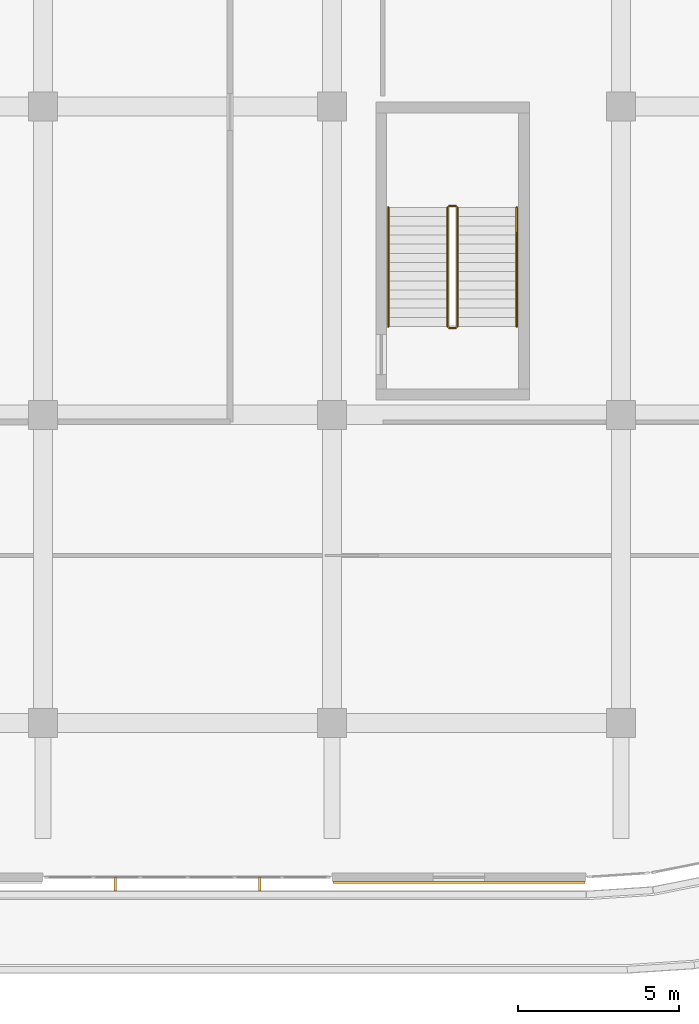
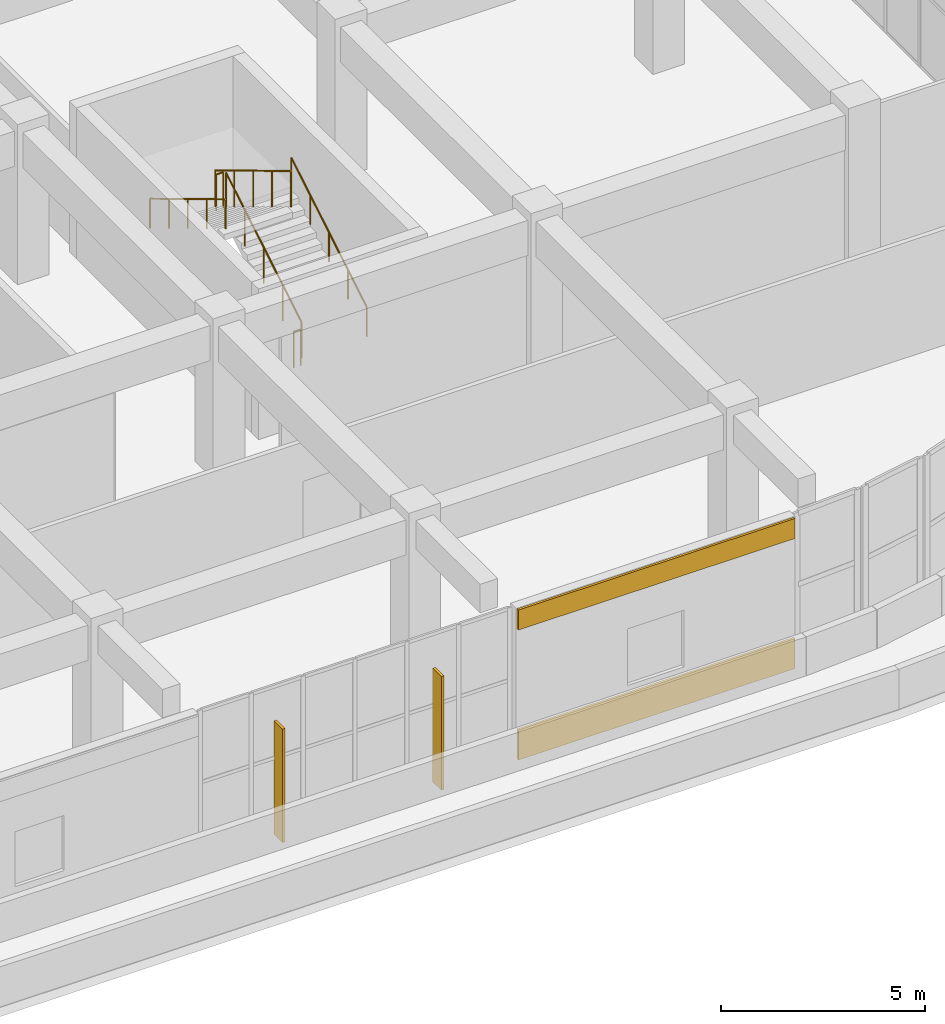
# One storey, part 84 of 96: 6 railings, 2 coverings, 2 shading devices.
"""IFC4 building model written with IfcOpenShell, lengths in metres."""

from ifc_helpers import new_model, si_unit, direction, frame, origin, origin_2d, place, context, subcontext, project, spatial, rectangle, circle, extrude, material, layer, layer_set, type_object, element, save


model = new_model("IFC4")

# Units and contexts
model_context = context("Model", 3, precision=1e-05, world=origin(), true_north=direction((0.0, 1.0)))
body_context = subcontext(model_context, "Body", "Model", "MODEL_VIEW")
ifc_project = project(units=[si_unit("LENGTHUNIT", "METRE"), si_unit("AREAUNIT", "SQUARE_METRE"), si_unit("VOLUMEUNIT", "CUBIC_METRE"), si_unit("PLANEANGLEUNIT", "RADIAN"), si_unit("MASSUNIT", "GRAM", prefix="KILO")], contexts=[model_context])

# Site, building, storey
site_placement = place(None, origin())
site = spatial("IfcSite", under=ifc_project, at=site_placement, CompositionType="ELEMENT")
building_placement = place(site_placement, origin())
building = spatial("IfcBuilding", under=site, at=building_placement, Name="Cendralis Terraced Arcade", CompositionType="ELEMENT")
storey_placement = place(building_placement, frame((0.0, 0.0, 10.199951171875)))
storey = spatial("IfcBuildingStorey", under=building, at=storey_placement, Name="L02", CompositionType="ELEMENT", Elevation=10.199951171875)

# Coverings
ifc_material_1 = material(Name="Precast concrete f'c 40 MPa", Category="concrete")
ifc_layer = layer(ifc_material_1, 0.06494140625, Name="COV-CLAD-GRC-65")
ifc_layer_set = layer_set([ifc_layer], Name="Precast concrete f'c 40 MPa")
covering_type = type_object("IfcCoveringType", Name="COV-CLAD-GRC-65", PredefinedType="CLADDING", material=ifc_layer_set)
covering_1_placement = place(storey_placement, frame((116.14990234375, 4.637451171875, 0.0), z_axis=(0.0, 0.0, 1.0), x_axis=(-1.0, 0.0, 0.0)))
element("IfcCovering", 1, at=covering_1_placement, inside=storey, type_object=covering_type, Name="Banded Precast Stone Spandrel Cladding L02-293", PredefinedType="CLADDING", context=body_context, shape_type="SweptSolid", body=[
    extrude(rectangle(XDim=7.840087890625, YDim=0.06494140625, at=origin_2d()), origin(), (0.0, 0.0, 1.0), 0.89990234375),
])
covering_2_placement = place(storey_placement, frame((116.14990234375, 4.637451171875, 3.89501953125), z_axis=(0.0, 0.0, 1.0), x_axis=(-1.0, 0.0, 0.0)))
element("IfcCovering", 2, at=covering_2_placement, inside=storey, type_object=covering_type, Name="Banded Precast Stone Lintel Cladding L02-294", PredefinedType="CLADDING", context=body_context, shape_type="SweptSolid", body=[
    extrude(rectangle(XDim=7.840087890625, YDim=0.06494140625, at=origin_2d()), origin(), (0.0, 0.0, 1.0), 0.60009765625),
])

# Railings
ifc_material_2 = material(Name="Brushed stainless steel AISI 316", Category="steel")
railing_type_1 = type_object("IfcRailingType", Name="RL-STAIR-GUARD-1100", PredefinedType="GUARDRAIL", material=ifc_material_2)
railing_1_placement = place(storey_placement, frame((116.10009765625, 21.949951171875, 0.17138671875)))
element("IfcRailing", 3, at=railing_1_placement, inside=storey, type_object=railing_type_1, Name="L02 ST-09 stair guard 1", PredefinedType="GUARDRAIL", context=body_context, shape_type="SweptSolid", body=[
    extrude(circle(Radius=0.02392578125, at=origin_2d()), frame((0.0, 0.0, 1.076171875), z_axis=(0.0, 0.856909459561, 0.515466951525), x_axis=(-1.0, 0.0, 0.0)), (0.0, 0.0, 1.0), 4.32373046875),
    extrude(circle(Radius=0.02099609375, at=origin_2d()), origin(), (0.0, 0.0, 1.0), 1.052001953125),
    extrude(circle(Radius=0.02099609375, at=origin_2d()), frame((0.0, 0.92626953125, 0.55712890625)), (0.0, 0.0, 1.0), 1.052001953125),
    extrude(circle(Radius=0.02099609375, at=origin_2d()), frame((0.0, 1.8525390625, 1.1142578125)), (0.0, 0.0, 1.0), 1.052001953125),
    extrude(circle(Radius=0.02099609375, at=origin_2d()), frame((0.0, 2.77880859375, 1.671630859375)), (0.0, 0.0, 1.0), 1.052001953125),
    extrude(circle(Radius=0.02099609375, at=origin_2d()), frame((0.0, 3.705078125, 2.228759765625)), (0.0, 0.0, 1.0), 1.052001953125),
])
railing_2_placement = place(storey_placement, frame((116.050048828125, 25.705078125, 2.400146484375)))
element("IfcRailing", 4, at=railing_2_placement, inside=storey, type_object=railing_type_1, Name="L02 ST-09 stair guard 2", PredefinedType="GUARDRAIL", context=body_context, shape_type="SweptSolid", body=[
    extrude(circle(Radius=0.02392578125, at=origin_2d()), frame((0.0, 0.0, 1.076171875), z_axis=(-1.0, 0.0, 0.0), x_axis=(0.0, -1.0, 0.0)), (0.0, 0.0, 1.0), 0.199951171875),
    extrude(circle(Radius=0.02099609375, at=origin_2d()), origin(), (0.0, 0.0, 1.0), 1.052001953125),
    extrude(circle(Radius=0.02099609375, at=origin_2d()), frame((-0.199951171875, 0.0, 0.0)), (0.0, 0.0, 1.0), 1.052001953125),
])
railing_3_placement = place(storey_placement, frame((115.800048828125, 25.655029296875, 2.571533203125)))
element("IfcRailing", 5, at=railing_3_placement, inside=storey, type_object=railing_type_1, Name="L02 ST-09 stair guard 3", PredefinedType="GUARDRAIL", context=body_context, shape_type="SweptSolid", body=[
    extrude(circle(Radius=0.02392578125, at=origin_2d()), frame((0.0, 0.0, 1.076171875), z_axis=(0.0, -0.856934400257, 0.515425487977), x_axis=(1.0, 0.0, 0.0)), (0.0, 0.0, 1.0), 4.32373046875),
    extrude(circle(Radius=0.02099609375, at=origin_2d()), origin(), (0.0, 0.0, 1.0), 1.052001953125),
    extrude(circle(Radius=0.02099609375, at=origin_2d()), frame((0.0, -0.92626953125, 0.55712890625)), (0.0, 0.0, 1.0), 1.052001953125),
    extrude(circle(Radius=0.02099609375, at=origin_2d()), frame((0.0, -1.8525390625, 1.1142578125)), (0.0, 0.0, 1.0), 1.052001953125),
    extrude(circle(Radius=0.02099609375, at=origin_2d()), frame((0.0, -2.77880859375, 1.67138671875)), (0.0, 0.0, 1.0), 1.052001953125),
    extrude(circle(Radius=0.02099609375, at=origin_2d()), frame((0.0, -3.705078125, 2.228515625)), (0.0, 0.0, 1.0), 1.052001953125),
])
railing_4_placement = place(storey_placement, frame((116.050048828125, 21.89990234375, 0.0)))
element("IfcRailing", 6, at=railing_4_placement, inside=storey, type_object=railing_type_1, Name="L02 ST-09 stair guard 4", PredefinedType="GUARDRAIL", context=body_context, shape_type="SweptSolid", body=[
    extrude(circle(Radius=0.02392578125, at=origin_2d()), frame((0.0, 0.0, 1.076171875), z_axis=(-1.0, 0.0, 0.0), x_axis=(0.0, -1.0, 0.0)), (0.0, 0.0, 1.0), 0.199951171875),
    extrude(circle(Radius=0.02099609375, at=origin_2d()), origin(), (0.0, 0.0, 1.0), 1.052001953125),
    extrude(circle(Radius=0.02099609375, at=origin_2d()), frame((-0.199951171875, 0.0, 0.0)), (0.0, 0.0, 1.0), 1.052001953125),
])
railing_type_2 = type_object("IfcRailingType", Name="RL-STAIR-HAND-900", PredefinedType="HANDRAIL", material=ifc_material_2)
railing_5_placement = place(storey_placement, frame((117.949951171875, 21.949951171875, 0.17138671875)))
element("IfcRailing", 7, at=railing_5_placement, inside=storey, type_object=railing_type_2, Name="L02 ST-09 stair handrail 1", PredefinedType="HANDRAIL", context=body_context, shape_type="SweptSolid", body=[
    extrude(circle(Radius=0.02392578125, at=origin_2d()), frame((0.0, 0.0, 0.8759765625), z_axis=(0.0, 0.856909459561, 0.515466951525), x_axis=(-1.0, 0.0, 0.0)), (0.0, 0.0, 1.0), 4.32373046875),
    extrude(circle(Radius=0.02099609375, at=origin_2d()), origin(), (0.0, 0.0, 1.0), 0.851806640625),
    extrude(circle(Radius=0.02099609375, at=origin_2d()), frame((0.0, 0.92626953125, 0.55712890625)), (0.0, 0.0, 1.0), 0.851806640625),
    extrude(circle(Radius=0.02099609375, at=origin_2d()), frame((0.0, 1.8525390625, 1.1142578125)), (0.0, 0.0, 1.0), 0.851806640625),
    extrude(circle(Radius=0.02099609375, at=origin_2d()), frame((0.0, 2.77880859375, 1.671630859375)), (0.0, 0.0, 1.0), 0.851806640625),
    extrude(circle(Radius=0.02099609375, at=origin_2d()), frame((0.0, 3.705078125, 2.228759765625)), (0.0, 0.0, 1.0), 0.851806640625),
])
railing_6_placement = place(storey_placement, frame((113.949951171875, 25.655029296875, 2.571533203125)))
element("IfcRailing", 8, at=railing_6_placement, inside=storey, type_object=railing_type_2, Name="L02 ST-09 stair handrail 2", PredefinedType="HANDRAIL", context=body_context, shape_type="SweptSolid", body=[
    extrude(circle(Radius=0.02392578125, at=origin_2d()), frame((0.0, 0.0, 0.8759765625), z_axis=(0.0, -0.856934400257, 0.515425487977), x_axis=(1.0, 0.0, 0.0)), (0.0, 0.0, 1.0), 4.32373046875),
    extrude(circle(Radius=0.02099609375, at=origin_2d()), origin(), (0.0, 0.0, 1.0), 0.851806640625),
    extrude(circle(Radius=0.02099609375, at=origin_2d()), frame((0.0, -0.92626953125, 0.55712890625)), (0.0, 0.0, 1.0), 0.851806640625),
    extrude(circle(Radius=0.02099609375, at=origin_2d()), frame((0.0, -1.8525390625, 1.1142578125)), (0.0, 0.0, 1.0), 0.851806640625),
    extrude(circle(Radius=0.02099609375, at=origin_2d()), frame((0.0, -2.77880859375, 1.67138671875)), (0.0, 0.0, 1.0), 0.851806640625),
    extrude(circle(Radius=0.02099609375, at=origin_2d()), frame((0.0, -3.705078125, 2.228515625)), (0.0, 0.0, 1.0), 0.851806640625),
])

# Shading devices
ifc_material_3 = material(Name="Anodised aluminium EN AW-6063 T6", Category="aluminium")
shading_device_type = type_object("IfcShadingDeviceType", Name="SHD-FIN-420", PredefinedType="USERDEFINED", material=ifc_material_3)
for number, where, z_axis, x_axis, name in (
    (9, (109.949951171875, 4.5849609375, 0.050048828125), (0.0, 0.0, 1.0), (-1.0, 0.0, 0.0), "Parametric Vertical Solar Fin FIN-L02-067"),
    (10, (105.449951171875, 4.5849609375, 0.050048828125), (0.0, 0.0, 1.0), (-1.0, 0.0, 0.0), "Parametric Vertical Solar Fin FIN-L02-068"),
):
    element("IfcShadingDevice", number, at=place(storey_placement, frame(where, z_axis=z_axis, x_axis=x_axis)), inside=storey, type_object=shading_device_type, Name=name, ObjectType="FIN", PredefinedType="USERDEFINED", context=body_context, shape_type="SweptSolid", body=[
        extrude(rectangle(XDim=0.074951171875, YDim=0.419921875, at=origin_2d()), origin(), (0.0, 0.0, 1.0), 3.39990234375),
    ])

save(model, "model.ifc")
